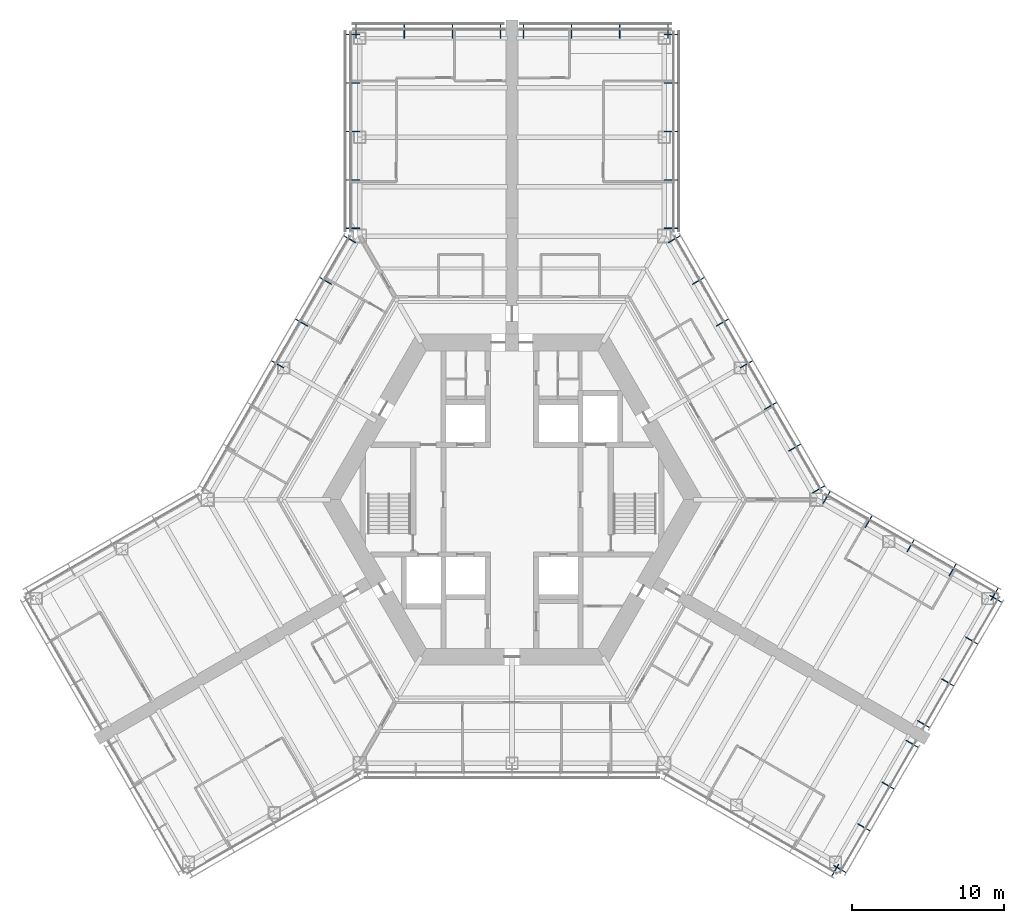
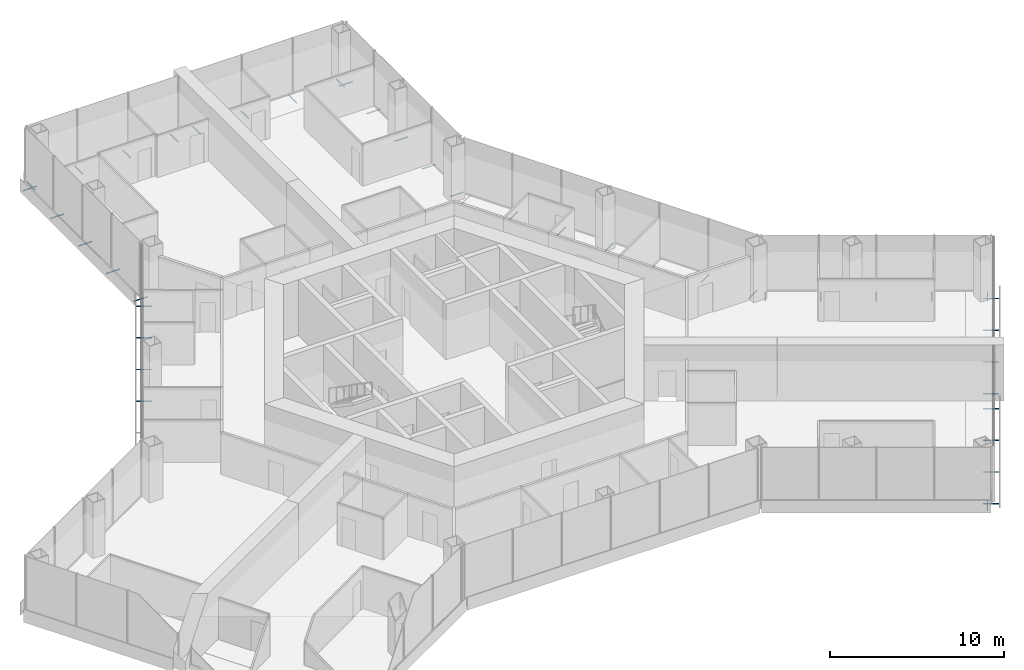
# One storey, part 17 of 19: 43 discrete accessories.
"""IFC4 building model written with IfcOpenShell, lengths in metres."""

from ifc_helpers import new_model, si_unit, direction, frame, origin, origin_2d, place, context, subcontext, project, spatial, hollow_circle, extrude, material, material_profile, profile_set, type_object, element, save


model = new_model("IFC4")

# Units and contexts
model_context = context("Model", 3, precision=1e-05, world=origin(), true_north=direction((0.0, 1.0)))
body_context = subcontext(model_context, "Body", "Model", "MODEL_VIEW")
ifc_project = project(units=[si_unit("LENGTHUNIT", "METRE"), si_unit("AREAUNIT", "SQUARE_METRE"), si_unit("VOLUMEUNIT", "CUBIC_METRE"), si_unit("PLANEANGLEUNIT", "RADIAN"), si_unit("MASSUNIT", "GRAM", prefix="KILO")], contexts=[model_context])

# Site, building, storey
site_placement = place(None, origin())
site = spatial("IfcSite", under=ifc_project, at=site_placement, CompositionType="ELEMENT")
building_placement = place(site_placement, origin())
building = spatial("IfcBuilding", under=site, at=building_placement, Name="Kasaneha Research Tower", CompositionType="ELEMENT")
storey_placement = place(building_placement, frame((0.0, 0.0, 84.60009765625)))
storey = spatial("IfcBuildingStorey", under=building, at=storey_placement, Name="L21", CompositionType="ELEMENT", Elevation=84.60009765625)

# Discrete accessories
ifc_material = material(Name="Steel STK400", Category="steel")
ifc_material_profile = material_profile(ifc_material, hollow_circle(Radius=0.0380859375, WallThickness=0.00390625, at=origin_2d()), Name="CHS-76.3x4.0")
ifc_profile_set = profile_set([ifc_material_profile], Name="Steel STK400")
discrete_accessory_type = type_object("IfcDiscreteAccessoryType", Name="Screen bracket CHS-76.3x4.0", PredefinedType="BRACKET", material=ifc_profile_set)
discrete_accessory_1_placement = place(storey_placement, frame((21.474853515625, -23.945556640625, -0.300048828125), z_axis=(-0.500021113727, -0.866013213425, 0.0), x_axis=(0.866013213425, -0.500021113727, 0.0)))
element("IfcDiscreteAccessory", 1, at=discrete_accessory_1_placement, inside=storey, type_object=discrete_accessory_type, Name="Screen bracket 5", PredefinedType="BRACKET", context=body_context, shape_type="SweptSolid", body=[
    extrude(hollow_circle(Radius=0.0380859375, WallThickness=0.00390625, at=origin_2d()), origin(), (0.0, 0.0, 1.0), 0.919921875),
])
for number, where, z_axis, x_axis, name in (
    (2, (21.13330078125, -24.037109375, -0.300048828125), (0.866079547155, -0.499906209203, 0.0), (0.499906209203, 0.866079547155, 0.0), "Screen bracket 1"),
    (3, (22.716552734375, -21.294677734375, -0.300048828125), (0.866079547155, -0.499906209203, 0.0), (0.499906209203, 0.866079547155, 0.0), "Screen bracket 2"),
):
    element("IfcDiscreteAccessory", number, at=place(storey_placement, frame(where, z_axis=z_axis, x_axis=x_axis)), inside=storey, type_object=discrete_accessory_type, Name=name, PredefinedType="BRACKET", context=body_context, shape_type="SweptSolid", body=[
        extrude(hollow_circle(Radius=0.0380859375, WallThickness=0.00390625, at=origin_2d()), origin(), (0.0, 0.0, 1.0), 0.920166015625),
    ])
discrete_accessory_2_placement = place(storey_placement, frame((24.300048828125, -18.55224609375, -0.300048828125), z_axis=(0.866013213425, -0.500021113727, 0.0), x_axis=(0.500021113727, 0.866013213425, 0.0)))
element("IfcDiscreteAccessory", 4, at=discrete_accessory_2_placement, inside=storey, type_object=discrete_accessory_type, Name="Screen bracket 3", PredefinedType="BRACKET", context=body_context, shape_type="SweptSolid", body=[
    extrude(hollow_circle(Radius=0.0380859375, WallThickness=0.00390625, at=origin_2d()), origin(), (0.0, 0.0, 1.0), 0.919921875),
])
for number, where, z_axis, x_axis, name in (
    (5, (25.88330078125, -15.809814453125, -0.300048828125), (0.866079547155, -0.499906209203, 0.0), (0.499906209203, 0.866079547155, 0.0), "Screen bracket 4"),
    (6, (26.63330078125, -14.5107421875, -0.300048828125), (0.866079547155, -0.499906209203, 0.0), (0.499906209203, 0.866079547155, 0.0), "Screen bracket 1"),
    (7, (28.216552734375, -11.768310546875, -0.300048828125), (0.866079547155, -0.499906209203, 0.0), (0.499906209203, 0.866079547155, 0.0), "Screen bracket 2"),
):
    element("IfcDiscreteAccessory", number, at=place(storey_placement, frame(where, z_axis=z_axis, x_axis=x_axis)), inside=storey, type_object=discrete_accessory_type, Name=name, PredefinedType="BRACKET", context=body_context, shape_type="SweptSolid", body=[
        extrude(hollow_circle(Radius=0.0380859375, WallThickness=0.00390625, at=origin_2d()), origin(), (0.0, 0.0, 1.0), 0.920166015625),
    ])
discrete_accessory_3_placement = place(storey_placement, frame((29.800048828125, -9.02587890625, -0.300048828125), z_axis=(0.866013213425, -0.500021113727, 0.0), x_axis=(0.500021113727, 0.866013213425, 0.0)))
element("IfcDiscreteAccessory", 8, at=discrete_accessory_3_placement, inside=storey, type_object=discrete_accessory_type, Name="Screen bracket 3", PredefinedType="BRACKET", context=body_context, shape_type="SweptSolid", body=[
    extrude(hollow_circle(Radius=0.0380859375, WallThickness=0.00390625, at=origin_2d()), origin(), (0.0, 0.0, 1.0), 0.919921875),
])
discrete_accessory_4_placement = place(storey_placement, frame((31.38330078125, -6.283447265625, -0.300048828125), z_axis=(0.866079547155, -0.499906209203, 0.0), x_axis=(0.499906209203, 0.866079547155, 0.0)))
element("IfcDiscreteAccessory", 9, at=discrete_accessory_4_placement, inside=storey, type_object=discrete_accessory_type, Name="Screen bracket 4", PredefinedType="BRACKET", context=body_context, shape_type="SweptSolid", body=[
    extrude(hollow_circle(Radius=0.0380859375, WallThickness=0.00390625, at=origin_2d()), origin(), (0.0, 0.0, 1.0), 0.920166015625),
])
discrete_accessory_5_placement = place(storey_placement, frame((31.474853515625, -6.625, -0.300048828125), z_axis=(0.500021113727, 0.866013213425, 0.0), x_axis=(-0.866013213425, 0.500021113727, 0.0)))
element("IfcDiscreteAccessory", 10, at=discrete_accessory_5_placement, inside=storey, type_object=discrete_accessory_type, Name="Screen bracket 1", PredefinedType="BRACKET", context=body_context, shape_type="SweptSolid", body=[
    extrude(hollow_circle(Radius=0.0380859375, WallThickness=0.00390625, at=origin_2d()), origin(), (0.0, 0.0, 1.0), 0.919921875),
])
discrete_accessory_6_placement = place(storey_placement, frame((28.716796875, -5.03271484375, -0.300048828125), z_axis=(0.499906209203, 0.866079547155, 0.0), x_axis=(-0.866079547155, 0.499906209203, 0.0)))
element("IfcDiscreteAccessory", 11, at=discrete_accessory_6_placement, inside=storey, type_object=discrete_accessory_type, Name="Screen bracket 2", PredefinedType="BRACKET", context=body_context, shape_type="SweptSolid", body=[
    extrude(hollow_circle(Radius=0.0380859375, WallThickness=0.00390625, at=origin_2d()), origin(), (0.0, 0.0, 1.0), 0.920166015625),
])
discrete_accessory_7_placement = place(storey_placement, frame((25.95849609375, -3.440185546875, -0.300048828125), z_axis=(0.500220121494, 0.865898279276, 0.0), x_axis=(-0.865898279276, 0.500220121494, 0.0)))
element("IfcDiscreteAccessory", 12, at=discrete_accessory_7_placement, inside=storey, type_object=discrete_accessory_type, Name="Screen bracket 3", PredefinedType="BRACKET", context=body_context, shape_type="SweptSolid", body=[
    extrude(hollow_circle(Radius=0.0380859375, WallThickness=0.00390625, at=origin_2d()), origin(), (0.0, 0.0, 1.0), 0.919921875),
])
discrete_accessory_8_placement = place(storey_placement, frame((23.200439453125, -1.847900390625, -0.300048828125), z_axis=(0.499906209203, 0.866079547155, 0.0), x_axis=(-0.866079547155, 0.499906209203, 0.0)))
element("IfcDiscreteAccessory", 13, at=discrete_accessory_8_placement, inside=storey, type_object=discrete_accessory_type, Name="Screen bracket 4", PredefinedType="BRACKET", context=body_context, shape_type="SweptSolid", body=[
    extrude(hollow_circle(Radius=0.0380859375, WallThickness=0.00390625, at=origin_2d()), origin(), (0.0, 0.0, 1.0), 0.920166015625),
])
for number, where, z_axis, x_axis, name in (
    (14, (20.4423828125, -0.25537109375, -0.300048828125), (0.500021113727, 0.866013213425, 0.0), (-0.866013213425, 0.500021113727, 0.0), "Screen bracket 5"),
    (15, (19.74462890625, 0.4423828125, -0.300048828125), (0.866013213425, 0.500021113727, 0.0), (-0.500021113727, 0.866013213425, 0.0), "Screen bracket 1"),
    (16, (18.1630859375, 3.181640625, -0.300048828125), (0.866013213425, 0.500021113727, 0.0), (-0.500021113727, 0.866013213425, 0.0), "Screen bracket 2"),
    (17, (16.58154296875, 5.9208984375, -0.300048828125), (0.866013213425, 0.500021113727, 0.0), (-0.500021113727, 0.866013213425, 0.0), "Screen bracket 3"),
    (18, (15.0, 8.66015625, -0.300048828125), (0.865898279276, 0.500220121494, 0.0), (-0.500220121494, 0.865898279276, 0.0), "Screen bracket 4"),
    (19, (13.41845703125, 11.399658203125, -0.300048828125), (0.866013213425, 0.500021113727, 0.0), (-0.500021113727, 0.866013213425, 0.0), "Screen bracket 5"),
    (20, (11.8369140625, 14.138916015625, -0.300048828125), (0.866013213425, 0.500021113727, 0.0), (-0.500021113727, 0.866013213425, 0.0), "Screen bracket 6"),
):
    element("IfcDiscreteAccessory", number, at=place(storey_placement, frame(where, z_axis=z_axis, x_axis=x_axis)), inside=storey, type_object=discrete_accessory_type, Name=name, PredefinedType="BRACKET", context=body_context, shape_type="SweptSolid", body=[
        extrude(hollow_circle(Radius=0.0380859375, WallThickness=0.00390625, at=origin_2d()), origin(), (0.0, 0.0, 1.0), 0.919921875),
    ])
discrete_accessory_9_placement = place(storey_placement, frame((10.25537109375, 16.878173828125, -0.300048828125), z_axis=(0.866079547155, 0.499906209203, 0.0), x_axis=(-0.499906209203, 0.866079547155, 0.0)))
element("IfcDiscreteAccessory", 21, at=discrete_accessory_9_placement, inside=storey, type_object=discrete_accessory_type, Name="Screen bracket 7", PredefinedType="BRACKET", context=body_context, shape_type="SweptSolid", body=[
    extrude(hollow_circle(Radius=0.0380859375, WallThickness=0.00390625, at=origin_2d()), origin(), (0.0, 0.0, 1.0), 0.920166015625),
])
for number, where, z_axis, x_axis, name in (
    (22, (10.0, 17.831298828125, -0.300048828125), (1.0, 0.0, 0.0), (0.0, 1.0, 0.0), "Screen bracket 1"),
    (23, (10.0, 21.01611328125, -0.300048828125), (1.0, 0.0, 0.0), (0.0, 1.0, 0.0), "Screen bracket 2"),
    (24, (10.0, 24.200927734375, -0.300048828125), (1.0, 0.0, 0.0), (0.0, 1.0, 0.0), "Screen bracket 3"),
    (25, (10.0, 27.3857421875, -0.300048828125), (1.0, 0.0, 0.0), (0.0, 1.0, 0.0), "Screen bracket 4"),
    (26, (10.0, 30.570556640625, -0.300048828125), (1.0, 0.0, 0.0), (0.0, 1.0, 0.0), "Screen bracket 5"),
    (27, (10.25, 30.320556640625, -0.300048828125), (0.0, 1.0, 0.0), (-1.0, 0.0, 0.0), "Screen bracket 1"),
    (28, (7.083251953125, 30.320556640625, -0.300048828125), (0.0, 1.0, 0.0), (-1.0, 0.0, 0.0), "Screen bracket 2"),
    (29, (3.916748046875, 30.320556640625, -0.300048828125), (0.0, 1.0, 0.0), (-1.0, 0.0, 0.0), "Screen bracket 3"),
    (30, (0.75, 30.320556640625, -0.300048828125), (0.0, 1.0, 0.0), (-1.0, 0.0, 0.0), "Screen bracket 4"),
    (31, (-0.75, 30.320556640625, -0.300048828125), (0.0, 1.0, 0.0), (-1.0, 0.0, 0.0), "Screen bracket 1"),
    (32, (-3.916748046875, 30.320556640625, -0.300048828125), (0.0, 1.0, 0.0), (-1.0, 0.0, 0.0), "Screen bracket 2"),
    (33, (-7.083251953125, 30.320556640625, -0.300048828125), (0.0, 1.0, 0.0), (-1.0, 0.0, 0.0), "Screen bracket 3"),
    (34, (-10.25, 30.320556640625, -0.300048828125), (0.0, 1.0, 0.0), (-1.0, 0.0, 0.0), "Screen bracket 4"),
    (35, (-10.0, 30.570556640625, -0.300048828125), (-1.0, 0.0, 0.0), (0.0, -1.0, 0.0), "Screen bracket 1"),
    (36, (-10.0, 27.3857421875, -0.300048828125), (-1.0, 0.0, 0.0), (0.0, -1.0, 0.0), "Screen bracket 2"),
    (37, (-10.0, 24.200927734375, -0.300048828125), (-1.0, 0.0, 0.0), (0.0, -1.0, 0.0), "Screen bracket 3"),
    (38, (-10.0, 21.01611328125, -0.300048828125), (-1.0, 0.0, 0.0), (0.0, -1.0, 0.0), "Screen bracket 4"),
    (39, (-10.0, 17.831298828125, -0.300048828125), (-1.0, 0.0, 0.0), (0.0, -1.0, 0.0), "Screen bracket 5"),
):
    element("IfcDiscreteAccessory", number, at=place(storey_placement, frame(where, z_axis=z_axis, x_axis=x_axis)), inside=storey, type_object=discrete_accessory_type, Name=name, PredefinedType="BRACKET", context=body_context, shape_type="SweptSolid", body=[
        extrude(hollow_circle(Radius=0.0380859375, WallThickness=0.00390625, at=origin_2d()), origin(), (0.0, 0.0, 1.0), 0.919921875),
    ])
discrete_accessory_10_placement = place(storey_placement, frame((-10.25537109375, 16.878173828125, -0.300048828125), z_axis=(-0.866079547155, 0.499906209203, 0.0), x_axis=(-0.499906209203, -0.866079547155, 0.0)))
element("IfcDiscreteAccessory", 40, at=discrete_accessory_10_placement, inside=storey, type_object=discrete_accessory_type, Name="Screen bracket 1", PredefinedType="BRACKET", context=body_context, shape_type="SweptSolid", body=[
    extrude(hollow_circle(Radius=0.0380859375, WallThickness=0.00390625, at=origin_2d()), origin(), (0.0, 0.0, 1.0), 0.920166015625),
])
for number, where, z_axis, x_axis, name in (
    (41, (-11.8369140625, 14.138916015625, -0.300048828125), (-0.866013213425, 0.500021113727, 0.0), (-0.500021113727, -0.866013213425, 0.0), "Screen bracket 2"),
    (42, (-13.41845703125, 11.399658203125, -0.300048828125), (-0.866013213425, 0.500021113727, 0.0), (-0.500021113727, -0.866013213425, 0.0), "Screen bracket 3"),
    (43, (-15.0, 8.66015625, -0.300048828125), (-0.865898279276, 0.500220121494, 0.0), (-0.500220121494, -0.865898279276, 0.0), "Screen bracket 4"),
):
    element("IfcDiscreteAccessory", number, at=place(storey_placement, frame(where, z_axis=z_axis, x_axis=x_axis)), inside=storey, type_object=discrete_accessory_type, Name=name, PredefinedType="BRACKET", context=body_context, shape_type="SweptSolid", body=[
        extrude(hollow_circle(Radius=0.0380859375, WallThickness=0.00390625, at=origin_2d()), origin(), (0.0, 0.0, 1.0), 0.919921875),
    ])

save(model, "model.ifc")
